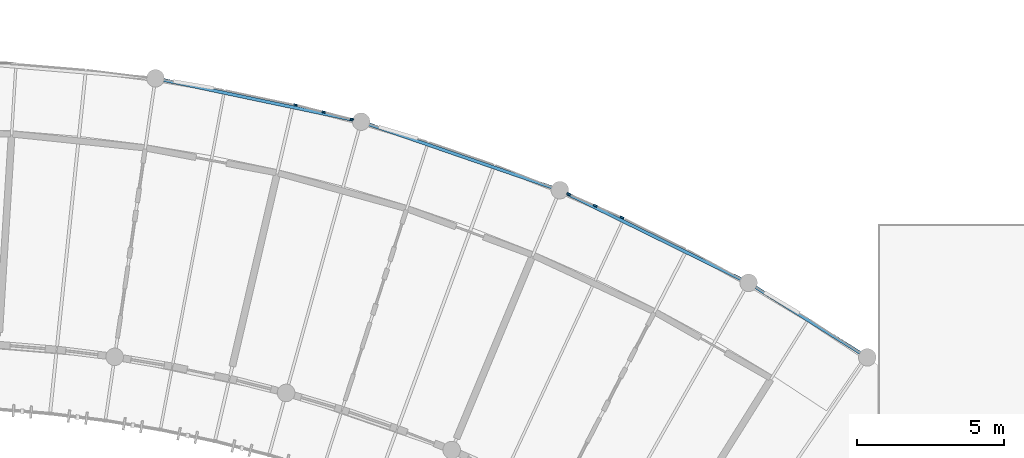
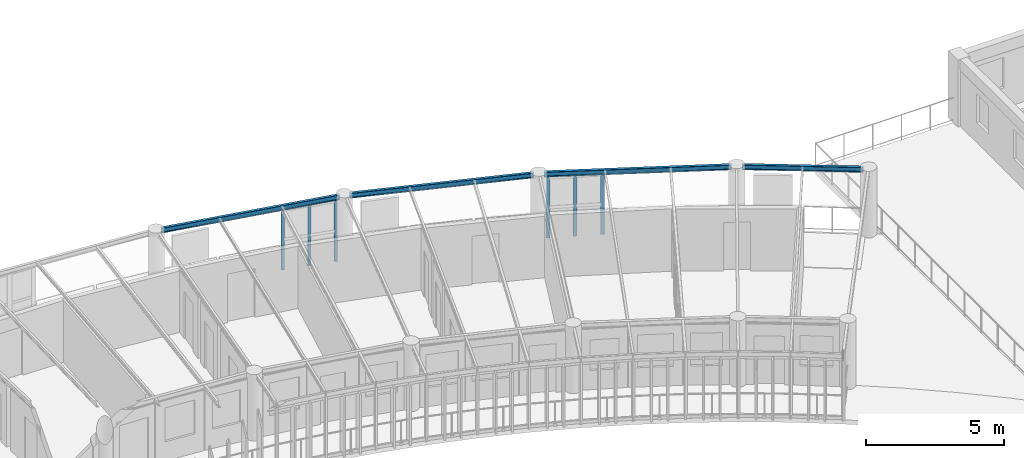
# One storey, part 40 of 101: 6 members, 4 beams, 2 elements without a shape of their own.
"""IFC4 building model written with IfcOpenShell, lengths in metres."""

from ifc_helpers import new_model, si_unit, direction, frame, origin, origin_2d, place, context, subcontext, project, spatial, rectangle, i_section, extrude, material, layer, layer_set, material_profile, profile_set, type_object, element, aggregate, save


model = new_model("IFC4")

# Units and contexts
model_context = context("Model", 3, precision=1e-05, world=origin(), true_north=direction((0.0, 1.0)))
body_context = subcontext(model_context, "Body", "Model", "MODEL_VIEW")
ifc_project = project(units=[si_unit("LENGTHUNIT", "METRE"), si_unit("AREAUNIT", "SQUARE_METRE"), si_unit("VOLUMEUNIT", "CUBIC_METRE"), si_unit("PLANEANGLEUNIT", "RADIAN"), si_unit("MASSUNIT", "GRAM", prefix="KILO"), si_unit("POWERUNIT", "WATT"), si_unit("THERMODYNAMICTEMPERATUREUNIT", "KELVIN")], contexts=[model_context])

# Site, building, storey
site_placement = place(None, origin())
site = spatial("IfcSite", under=ifc_project, at=site_placement, CompositionType="ELEMENT")
building_placement = place(site_placement, origin())
building = spatial("IfcBuilding", under=site, at=building_placement, Name="Ruvembo Vaulted Housing Court", CompositionType="ELEMENT")
storey_placement = place(building_placement, frame((0.0, 0.0, 17.300048828125)))
storey = spatial("IfcBuildingStorey", under=building, at=storey_placement, Name="L05", CompositionType="ELEMENT", Elevation=17.300048828125)

# Beams
ifc_material_1 = material(Name="Steel S355J2", Category="steel")
ifc_material_profile_1 = material_profile(ifc_material_1, i_section(OverallWidth=0.110107421875, OverallDepth=0.219970703125, WebThickness=0.005859375, FlangeThickness=0.00927734375, FilletRadius=0.011962890625, at=origin_2d()), Name="IPE 220")
ifc_profile_set_1 = profile_set([ifc_material_profile_1], Name="Steel S355J2")
beam_type = type_object("IfcBeamType", Name="BM-ST-IPE220", PredefinedType="SPANDREL", material=ifc_profile_set_1)
beam_1_placement = place(storey_placement, frame((125.52490234375, 106.9541015625, 2.823974609375), z_axis=(0.978536809397, -0.206072105474, 0.0), x_axis=(0.206072105474, 0.978536809397, 0.0)))
element("IfcBeam", 1, at=beam_1_placement, inside=storey, type_object=beam_type, Name="Scoop SC3 L05 Chord Girder B18", PredefinedType="SPANDREL", context=body_context, shape_type="SweptSolid", body=[
    extrude(i_section(OverallWidth=0.110107421875, OverallDepth=0.219970703125, WebThickness=0.005859375, FlangeThickness=0.00927734375, FilletRadius=0.011962890625, at=origin_2d()), origin(), (0.0, 0.0, 1.0), 6.78857421875),
])
for number, where, z_axis, x_axis, name in (
    (2, (132.533203125, 105.4541015625, 2.823974609375), (0.945363426352, -0.326018392296, 0.0), (0.326018392296, 0.945363426352, 0.0), "Scoop SC3 L05 Chord Girder B21"),
    (3, (139.30078125, 103.09521484375, 2.823974609375), (0.89756256607, -0.44088710572, 0.0), (0.44088710572, 0.89756256607, 0.0), "Scoop SC3 L05 Chord Girder B24"),
):
    element("IfcBeam", number, at=place(storey_placement, frame(where, z_axis=z_axis, x_axis=x_axis)), inside=storey, type_object=beam_type, Name=name, PredefinedType="SPANDREL", context=body_context, shape_type="SweptSolid", body=[
        extrude(i_section(OverallWidth=0.110107421875, OverallDepth=0.219970703125, WebThickness=0.005859375, FlangeThickness=0.00927734375, FilletRadius=0.011962890625, at=origin_2d()), origin(), (0.0, 0.0, 1.0), 6.788330078125),
    ])
beam_2_placement = place(storey_placement, frame((145.725341796875, 99.91748046875, 2.823974609375), z_axis=(0.847036957931, -0.531533998817, 0.0), x_axis=(0.531533998817, 0.847036957931, 0.0)))
element("IfcBeam", 4, at=beam_2_placement, inside=storey, type_object=beam_type, Name="Scoop SC3 L05 Chord Girder B27", PredefinedType="SPANDREL", context=body_context, shape_type="SweptSolid", body=[
    extrude(i_section(OverallWidth=0.110107421875, OverallDepth=0.219970703125, WebThickness=0.005859375, FlangeThickness=0.00927734375, FilletRadius=0.011962890625, at=origin_2d()), origin(), (0.0, 0.0, 1.0), 4.400634765625),
])

# Curtain wall, members
ifc_material_2 = material(Name="Anodised Aluminium and Solar-Control Glass", Category="aluminium")
ifc_layer = layer(ifc_material_2, 0.139892578125, Name="Anodised Aluminium and Solar-Control Glass")
ifc_layer_set = layer_set([ifc_layer], Name="Anodised Aluminium and Solar-Control Glass")
curtain_wall_type = type_object("IfcCurtainWallType", Name="CW-SCOOP-PAN", PredefinedType="NOTDEFINED", material=ifc_layer_set)
curtain_wall_1_placement = place(storey_placement, origin())
curtain_wall_1 = element("IfcCurtainWall", 5, at=curtain_wall_1_placement, inside=storey, type_object=curtain_wall_type, Name="L05 Curtain Wall CW-L05-0087", PredefinedType="NOTDEFINED")
ifc_material_3 = material(Name="Anodised Aluminium 6063-T6", Category="aluminium")
ifc_material_profile_2 = material_profile(ifc_material_3, rectangle(XDim=0.054931640625, YDim=0.1201171875, at=origin_2d()), Name="ALU 55x120")
ifc_profile_set_2 = profile_set([ifc_material_profile_2], Name="Anodised Aluminium 6063-T6")
member_type_1 = type_object("IfcMemberType", Name="CW-MUL-55x120", PredefinedType="MULLION", material=ifc_profile_set_2)
member_1_placement = place(storey_placement, frame((130.11181640625, 106.086181640625, 0.0), z_axis=(0.0, 0.0, 1.0), x_axis=(0.246511106269, 0.969139966406, 0.0)))
member_1 = element("IfcMember", 6, at=member_1_placement, type_object=member_type_1, Name="CW10 mullion 1", PredefinedType="MULLION", context=body_context, shape_type="SweptSolid", body=[
    extrude(rectangle(XDim=0.054931640625, YDim=0.1201171875, at=origin_2d()), origin(), (0.0, 0.0, 1.0), 2.68994140625),
])
member_2_placement = place(storey_placement, frame((131.073974609375, 105.841552734375, 0.0), z_axis=(0.0, 0.0, 1.0), x_axis=(0.246511106269, 0.969139966406, 0.0)))
member_2 = element("IfcMember", 7, at=member_2_placement, type_object=member_type_1, Name="CW10 mullion 2", PredefinedType="MULLION", context=body_context, shape_type="SweptSolid", body=[
    extrude(rectangle(XDim=0.054931640625, YDim=0.1201171875, at=origin_2d()), origin(), (0.0, 0.0, 1.0), 2.68994140625),
])
member_3_placement = place(storey_placement, frame((132.036376953125, 105.5966796875, 0.0), z_axis=(0.0, 0.0, 1.0), x_axis=(0.246511106269, 0.969139966406, 0.0)))
member_3 = element("IfcMember", 8, at=member_3_placement, type_object=member_type_1, Name="CW10 mullion 3", PredefinedType="MULLION", context=body_context, shape_type="SweptSolid", body=[
    extrude(rectangle(XDim=0.054931640625, YDim=0.1201171875, at=origin_2d()), origin(), (0.0, 0.0, 1.0), 2.68994140625),
])
aggregate(curtain_wall_1, [member_1, member_2, member_3])

curtain_wall_2_placement = place(storey_placement, origin())
curtain_wall_2 = element("IfcCurtainWall", 9, at=curtain_wall_2_placement, inside=storey, type_object=curtain_wall_type, Name="L05 Curtain Wall CW-L05-0088", PredefinedType="NOTDEFINED")
ifc_material_profile_3 = material_profile(ifc_material_3, rectangle(XDim=0.06005859375, YDim=0.139892578125, at=origin_2d()), Name="ALU 60x140")
ifc_profile_set_3 = profile_set([ifc_material_profile_3], Name="Anodised Aluminium 6063-T6")
member_type_2 = type_object("IfcMemberType", Name="CW-MUL-60x140", PredefinedType="MULLION", material=ifc_profile_set_3)
member_4_placement = place(storey_placement, frame((139.432373046875, 103.0458984375, 0.0), z_axis=(0.0, 0.0, 1.0), x_axis=(0.403272228386, 0.915080056505, 0.0)))
member_4 = element("IfcMember", 10, at=member_4_placement, type_object=member_type_2, Name="CW10 mullion 1", PredefinedType="MULLION", context=body_context, shape_type="SweptSolid", body=[
    extrude(rectangle(XDim=0.06005859375, YDim=0.139892578125, at=origin_2d()), origin(), (0.0, 0.0, 1.0), 2.68994140625),
])
member_5_placement = place(storey_placement, frame((140.338623046875, 102.646484375, 0.0), z_axis=(0.0, 0.0, 1.0), x_axis=(0.403272228386, 0.915080056505, 0.0)))
member_5 = element("IfcMember", 11, at=member_5_placement, type_object=member_type_2, Name="CW10 mullion 2", PredefinedType="MULLION", context=body_context, shape_type="SweptSolid", body=[
    extrude(rectangle(XDim=0.06005859375, YDim=0.139892578125, at=origin_2d()), origin(), (0.0, 0.0, 1.0), 2.68994140625),
])
member_6_placement = place(storey_placement, frame((141.244873046875, 102.2470703125, 0.0), z_axis=(0.0, 0.0, 1.0), x_axis=(0.403272228386, 0.915080056505, 0.0)))
member_6 = element("IfcMember", 12, at=member_6_placement, type_object=member_type_2, Name="CW10 mullion 3", PredefinedType="MULLION", context=body_context, shape_type="SweptSolid", body=[
    extrude(rectangle(XDim=0.06005859375, YDim=0.139892578125, at=origin_2d()), origin(), (0.0, 0.0, 1.0), 2.68994140625),
])
aggregate(curtain_wall_2, [member_4, member_5, member_6])

save(model, "model.ifc")
